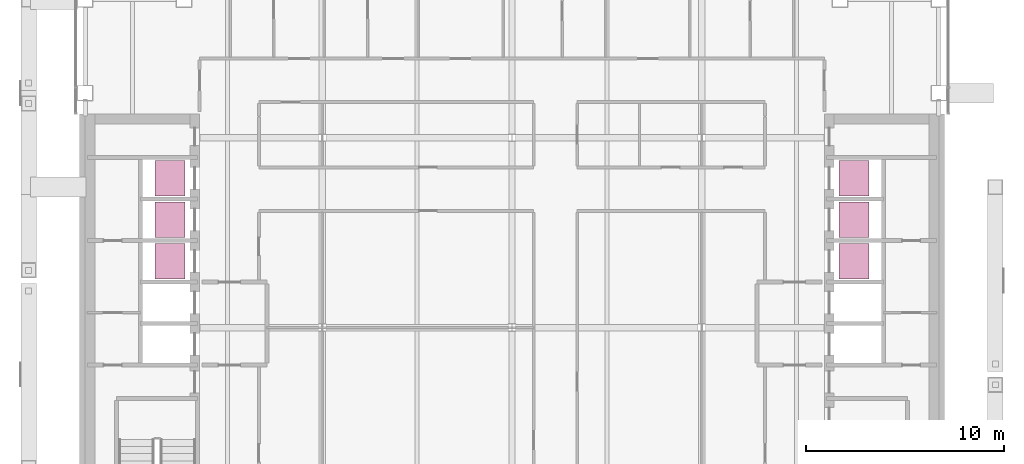
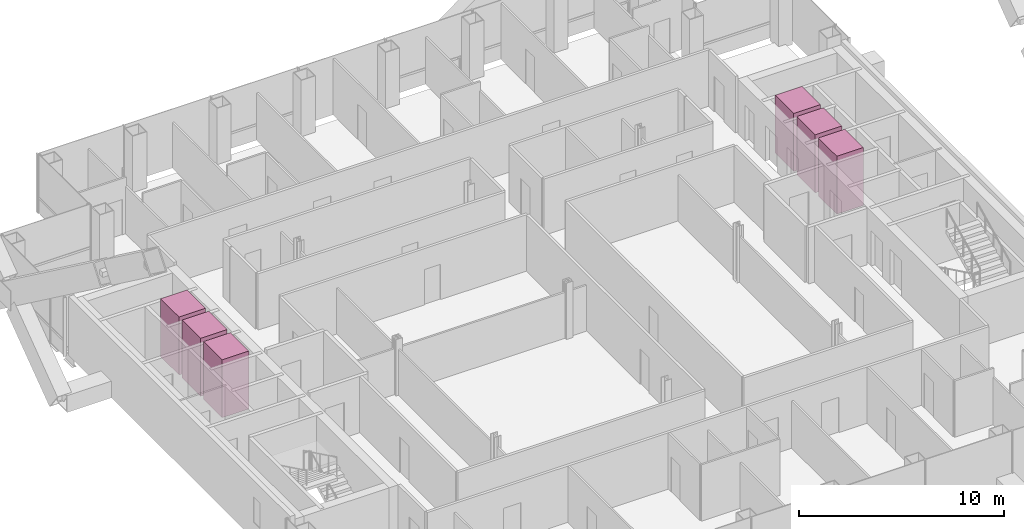
# One storey, part 18 of 18: 6 transport elements.
"""IFC4 building model written with IfcOpenShell, lengths in metres."""

from ifc_helpers import new_model, si_unit, direction, frame, origin, origin_2d, place, context, subcontext, project, spatial, rectangle, extrude, material, type_object, element, save


model = new_model("IFC4")

# Units and contexts
model_context = context("Model", 3, precision=1e-05, world=origin(), true_north=direction((0.0, 1.0)))
body_context = subcontext(model_context, "Body", "Model", "MODEL_VIEW")
ifc_project = project(units=[si_unit("LENGTHUNIT", "METRE"), si_unit("AREAUNIT", "SQUARE_METRE"), si_unit("VOLUMEUNIT", "CUBIC_METRE"), si_unit("PLANEANGLEUNIT", "RADIAN"), si_unit("MASSUNIT", "GRAM", prefix="KILO")], contexts=[model_context])

# Site, building, storey
site_placement = place(None, origin())
site = spatial("IfcSite", under=ifc_project, at=site_placement, CompositionType="ELEMENT")
building_placement = place(site_placement, origin())
building = spatial("IfcBuilding", under=site, at=building_placement, Name="Cobrizo Arcos Hotel Tower", CompositionType="ELEMENT")
storey_placement = place(building_placement, frame((0.0, 0.0, 165.5)))
storey = spatial("IfcBuildingStorey", under=building, at=storey_placement, Name="L42", CompositionType="ELEMENT", Elevation=165.5)

# Transport elements
ifc_material = material(Name="Stainless steel car", Category="steel")
transport_element_type = type_object("IfcTransportElementType", Name="Lift car High 1.8x1.5", PredefinedType="ELEVATOR", material=ifc_material)
for number, where, z_axis, x_axis, name in (
    (1, (-17.300048828125, 3.35009765625, 0.0), (0.0, 0.0, 1.0), (1.0, 0.0, 0.0), "High-rise passenger lift W1"),
    (2, (-17.300048828125, 5.449951171875, 0.0), (0.0, 0.0, 1.0), (1.0, 0.0, 0.0), "High-rise passenger lift W2"),
    (3, (-17.300048828125, 7.550048828125, 0.0), (0.0, 0.0, 1.0), (1.0, 0.0, 0.0), "High-rise passenger lift W3"),
    (4, (17.300048828125, 3.35009765625, 0.0), (0.0, 0.0, 1.0), (1.0, 0.0, 0.0), "High-rise passenger lift E1"),
    (5, (17.300048828125, 5.449951171875, 0.0), (0.0, 0.0, 1.0), (1.0, 0.0, 0.0), "High-rise passenger lift E2"),
    (6, (17.300048828125, 7.550048828125, 0.0), (0.0, 0.0, 1.0), (1.0, 0.0, 0.0), "High-rise passenger lift E3"),
):
    element("IfcTransportElement", number, at=place(storey_placement, frame(where, z_axis=z_axis, x_axis=x_axis)), inside=storey, type_object=transport_element_type, Name=name, PredefinedType="ELEVATOR", context=body_context, shape_type="SweptSolid", body=[
        extrude(rectangle(XDim=1.5, YDim=1.800048828125, at=origin_2d()), origin(), (0.0, 0.0, 1.0), 3.449951171875),
    ])

save(model, "model.ifc")
